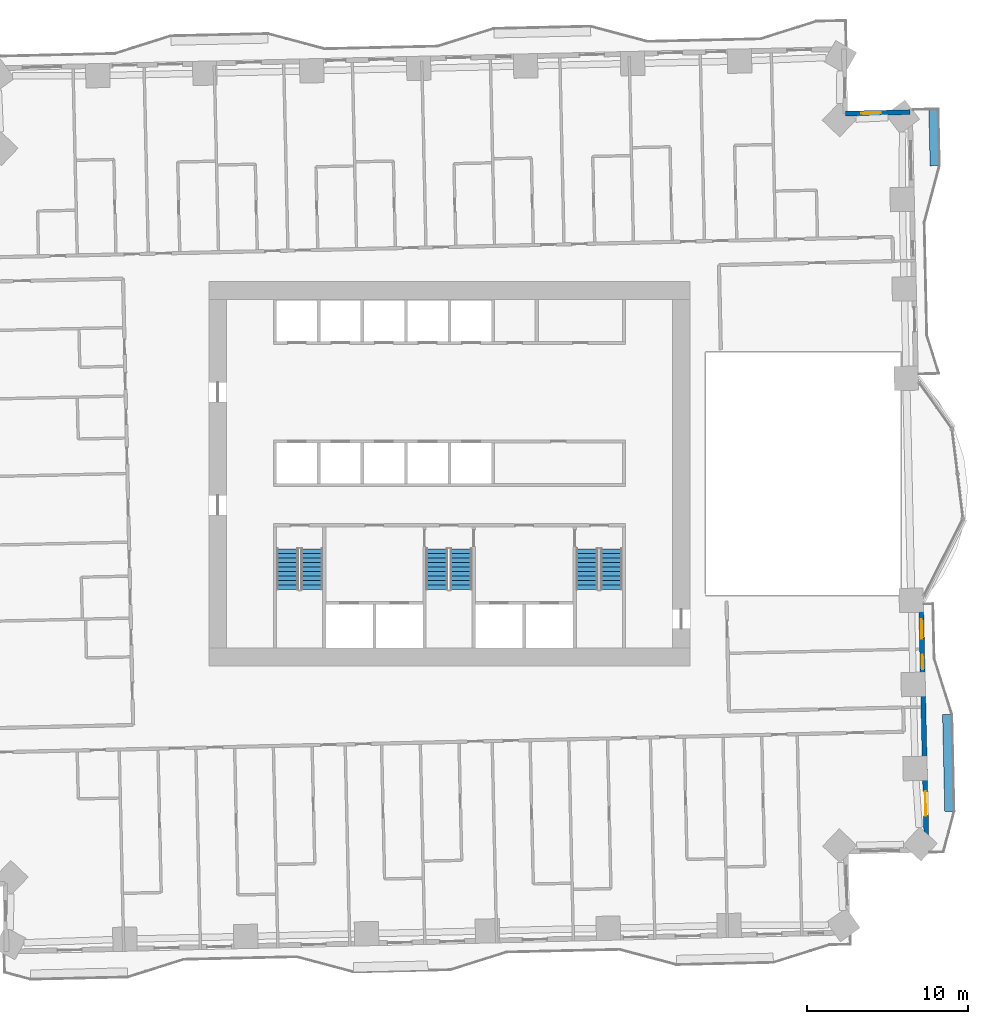
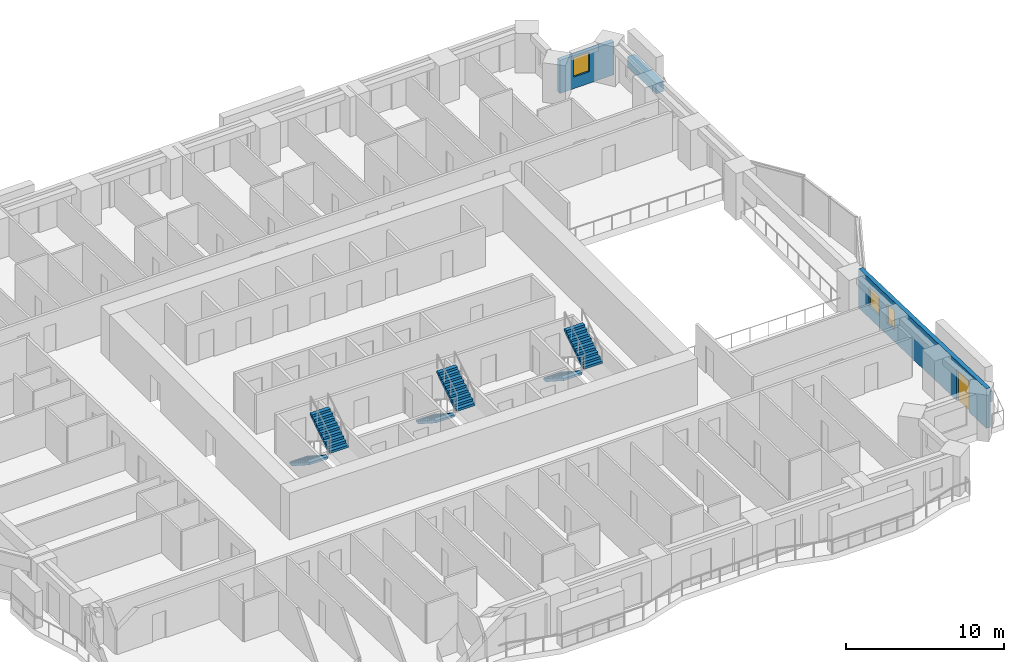
# One storey, part 12 of 16: 6 stair flights, 4 walls, 3 windows, 1 door, 4 openings, 3 elements without a shape of their own.
"""IFC4 building model written with IfcOpenShell, lengths in metres."""

from ifc_helpers import new_model, si_unit, direction, frame, frame_2d, origin, place, context, subcontext, project, spatial, polyline, rectangle, outline, extrude, material, layer, layer_set, type_object, element, fill, aggregate, save


model = new_model("IFC4")

# Units and contexts
model_context = context("Model", 3, precision=1e-05, world=origin(), true_north=direction((0.0, 1.0)))
body_context = subcontext(model_context, "Body", "Model", "MODEL_VIEW")
ifc_project = project(units=[si_unit("LENGTHUNIT", "METRE"), si_unit("AREAUNIT", "SQUARE_METRE"), si_unit("VOLUMEUNIT", "CUBIC_METRE"), si_unit("PLANEANGLEUNIT", "RADIAN"), si_unit("MASSUNIT", "GRAM", prefix="KILO")], contexts=[model_context])

# Site, building, storey
site_placement = place(None, origin())
site = spatial("IfcSite", under=ifc_project, at=site_placement, CompositionType="ELEMENT")
building_placement = place(site_placement, origin())
building = spatial("IfcBuilding", under=site, at=building_placement, Name="Mangrove Gate Tower", CompositionType="ELEMENT")
storey_placement = place(building_placement, frame((0.0, 0.0, 44.89990234375)))
storey = spatial("IfcBuildingStorey", under=building, at=storey_placement, Name="L10", CompositionType="ELEMENT", Elevation=44.89990234375)

# Wall, openings, door, windows
ifc_material_1 = material(Name="Limestone", Category="masonry")
ifc_layer_1 = layer(ifc_material_1, 0.0400390625, Name="Limestone cladding")
ifc_material_2 = material(Name="Ventilated air gap")
ifc_layer_2 = layer(ifc_material_2, 0.0400390625, Name="Ventilated cavity")
ifc_material_3 = material(Name="Mineral wool insulation")
ifc_layer_3 = layer(ifc_material_3, 0.06005859375, Name="Insulation")
ifc_material_4 = material(Name="Breather membrane")
ifc_layer_4 = layer(ifc_material_4, 0.001953125, Name="Breather membrane")
ifc_material_5 = material(Name="Concrete C20/25 blockwork", Category="masonry")
ifc_layer_5 = layer(ifc_material_5, 0.14990234375, Name="Blockwork backing wall")
ifc_material_6 = material(Name="Gypsum plaster")
ifc_layer_6 = layer(ifc_material_6, 0.008056640625, Name="Internal plaster")
ifc_layer_set_1 = layer_set([ifc_layer_1, ifc_layer_2, ifc_layer_3, ifc_layer_4, ifc_layer_5, ifc_layer_6], Name="External wall 300 limestone cladding")
wall_type_1 = type_object("IfcWallType", Name="External wall 300 limestone cladding", PredefinedType="SOLIDWALL", material=ifc_layer_set_1)
wall_1_placement = place(storey_placement, frame((29.549072265625, -23.299072265625, 0.0), z_axis=(0.0, 0.0, 1.0), x_axis=(-0.022670336976, 0.999742994885, 0.0)))
wall_1 = element("IfcWall", 1, at=wall_1_placement, inside=storey, type_object=wall_type_1, Name="WALL-L10-E0", PredefinedType="SOLIDWALL", context=body_context, shape_type="SweptSolid", body=[
    extrude(rectangle(XDim=15.529052734375, YDim=0.300048828125, at=frame_2d((7.7646484375, 0.0))), origin(), (0.0, 0.0, 1.0), 3.050048828125),
])
opening_1_placement = place(wall_1_placement, frame((2.118896484375, 0.0, 0.0)))
opening_1 = element("IfcOpeningElement", 2, at=opening_1_placement, cuts=wall_1, Name="Opening BD1", PredefinedType="OPENING", context=body_context, shape_type="SweptSolid", body=[
    extrude(rectangle(XDim=1.5, YDim=2.39990234375, at=frame_2d((0.75, 1.199951171875))), frame((0.0, 0.159912109375, 0.0), z_axis=(0.0, -1.0, 0.0), x_axis=(1.0, 0.0, 0.0)), (0.0, 0.0, 1.0), 0.320068359375),
])
opening_2_placement = place(wall_1_placement, frame((11.18310546875, 0.0, 0.89990234375)))
opening_2 = element("IfcOpeningElement", 3, at=opening_2_placement, cuts=wall_1, Name="Opening W5", PredefinedType="OPENING", context=body_context, shape_type="SweptSolid", body=[
    extrude(rectangle(XDim=0.89990234375, YDim=1.5, at=frame_2d((0.449951171875, 0.75))), frame((0.0, 0.159912109375, 0.0), z_axis=(0.0, -1.0, 0.0), x_axis=(1.0, 0.0, 0.0)), (0.0, 0.0, 1.0), 0.320068359375),
])
opening_3_placement = place(wall_1_placement, frame((13.0869140625, 0.0, 0.89990234375)))
opening_3 = element("IfcOpeningElement", 4, at=opening_3_placement, cuts=wall_1, Name="Opening W1", PredefinedType="OPENING", context=body_context, shape_type="SweptSolid", body=[
    extrude(rectangle(XDim=1.199951171875, YDim=1.5, at=frame_2d((0.60009765625, 0.75))), frame((0.0, 0.159912109375, 0.0), z_axis=(0.0, -1.0, 0.0), x_axis=(1.0, 0.0, 0.0)), (0.0, 0.0, 1.0), 0.320068359375),
])
ifc_material_7 = material(Name="Aluminium frame with laminated clear glass", Category="aluminium")
door_type = type_object("IfcDoorType", Name="Balcony sliding door 1500x2400", OperationType="SLIDING_TO_LEFT", PredefinedType="DOOR", material=ifc_material_7)
door_placement = place(opening_1_placement, origin())
door = element("IfcDoor", 5, at=door_placement, inside=storey, type_object=door_type, Name="DOOR-L10-E0-1", OperationType="SLIDING_TO_LEFT", OverallHeight=2.39990234375, OverallWidth=1.5, PredefinedType="DOOR", context=body_context, shape_type="SweptSolid", body=[
    extrude(rectangle(XDim=1.5, YDim=2.39990234375, at=frame_2d((0.75, 1.199951171875))), frame((0.0, 0.02490234375, 0.0), z_axis=(0.0, -1.0, 0.0), x_axis=(1.0, 0.0, 0.0)), (0.0, 0.0, 1.0), 0.050048828125),
])
fill(opening_1, door)
ifc_material_8 = material(Name="Aluminium frame with double-glazed low-e glass", Category="aluminium")
window_type_1 = type_object("IfcWindowType", Name="Narrow window 900x1500", PartitioningType="SINGLE_PANEL", PredefinedType="WINDOW", material=ifc_material_8)
window_1_placement = place(opening_2_placement, origin())
window_1 = element("IfcWindow", 6, at=window_1_placement, inside=storey, type_object=window_type_1, Name="WIN-L10-E0-2", OverallHeight=1.5, OverallWidth=0.89990234375, PartitioningType="SINGLE_PANEL", PredefinedType="WINDOW", context=body_context, shape_type="SweptSolid", body=[
    extrude(rectangle(XDim=0.89990234375, YDim=1.5, at=frame_2d((0.449951171875, 0.75))), frame((0.0, 0.030029296875, 0.0), z_axis=(0.0, -1.0, 0.0), x_axis=(1.0, 0.0, 0.0)), (0.0, 0.0, 1.0), 0.06005859375),
])
fill(opening_2, window_1)
ifc_material_9 = material(Name="Aluminium frame with double-glazed low-e glass", Category="aluminium")
window_type_2 = type_object("IfcWindowType", Name="Side lite 1200x1500", PartitioningType="SINGLE_PANEL", PredefinedType="WINDOW", material=ifc_material_9)
window_2_placement = place(opening_3_placement, origin())
window_2 = element("IfcWindow", 7, at=window_2_placement, inside=storey, type_object=window_type_2, Name="WIN-L10-E0-3", OverallHeight=1.5, OverallWidth=1.199951171875, PartitioningType="SINGLE_PANEL", PredefinedType="WINDOW", context=body_context, shape_type="SweptSolid", body=[
    extrude(rectangle(XDim=1.199951171875, YDim=1.5, at=frame_2d((0.60009765625, 0.75))), frame((0.0, 0.030029296875, 0.0), z_axis=(0.0, -1.0, 0.0), x_axis=(1.0, 0.0, 0.0)), (0.0, 0.0, 1.0), 0.06005859375),
])
fill(opening_3, window_2)

# Wall, opening, window
wall_2_placement = place(storey_placement, frame((28.511962890625, 22.388916015625, 0.0), z_axis=(0.0, 0.0, 1.0), x_axis=(-0.999747725427, -0.022460754759, 0.0)))
wall_2 = element("IfcWall", 8, at=wall_2_placement, inside=storey, type_object=wall_type_1, Name="WALL-L10-N3", PredefinedType="SOLIDWALL", context=body_context, shape_type="SweptSolid", body=[
    extrude(rectangle(XDim=4.0, YDim=0.300048828125, at=frame_2d((2.0, 0.0))), origin(), (0.0, 0.0, 1.0), 2.550048828125),
])
opening_4_placement = place(wall_2_placement, frame((1.81201171875, 0.0, 0.89990234375)))
opening_4 = element("IfcOpeningElement", 9, at=opening_4_placement, cuts=wall_2, Name="Opening W1", PredefinedType="OPENING", context=body_context, shape_type="SweptSolid", body=[
    extrude(rectangle(XDim=1.199951171875, YDim=1.5, at=frame_2d((0.60009765625, 0.75))), frame((0.0, 0.159912109375, 0.0), z_axis=(0.0, -1.0, 0.0), x_axis=(1.0, 0.0, 0.0)), (0.0, 0.0, 1.0), 0.320068359375),
])
window_3_placement = place(opening_4_placement, origin())
window_3 = element("IfcWindow", 10, at=window_3_placement, inside=storey, type_object=window_type_2, Name="WIN-L10-N3-1", OverallHeight=1.5, OverallWidth=1.199951171875, PartitioningType="SINGLE_PANEL", PredefinedType="WINDOW", context=body_context, shape_type="SweptSolid", body=[
    extrude(rectangle(XDim=1.199951171875, YDim=1.5, at=frame_2d((0.60009765625, 0.75))), frame((0.0, 0.030029296875, 0.0), z_axis=(0.0, -1.0, 0.0), x_axis=(1.0, 0.0, 0.0)), (0.0, 0.0, 1.0), 0.06005859375),
])
fill(opening_4, window_3)

# Walls
ifc_material_10 = material(Name="Concrete C32/40", Category="concrete")
ifc_layer_7 = layer(ifc_material_10, 0.199951171875, Name="Planter trough wall")
ifc_material_11 = material(Name="Bituminous waterproofing membrane")
ifc_layer_8 = layer(ifc_material_11, 0.0048828125, Name="Waterproofing")
ifc_material_12 = material(Name="Drainage board and gravel")
ifc_layer_9 = layer(ifc_material_12, 0.044921875, Name="Drainage layer")
ifc_material_13 = material(Name="Planting soil")
ifc_layer_10 = layer(ifc_material_13, 0.300048828125, Name="Growing medium")
ifc_layer_set_2 = layer_set([ifc_layer_7, ifc_layer_8, ifc_layer_9, ifc_layer_10], Name="Planter wall 550 C32/40")
wall_type_2 = type_object("IfcWallType", Name="Planter wall 550 C32/40", PredefinedType="USERDEFINED", material=ifc_layer_set_2)
wall_3_placement = place(storey_placement, frame((30.945068359375, -20.9169921875, 0.0), z_axis=(0.0, 0.0, 1.0), x_axis=(-0.022665943652, 0.999743094499, 0.0)))
element("IfcWall", 11, at=wall_3_placement, inside=storey, type_object=wall_type_2, Name="PLANTER L10 E0.1", ObjectType="PLANTER", PredefinedType="USERDEFINED", context=body_context, shape_type="SweptSolid", body=[
    extrude(rectangle(XDim=5.99951171875, YDim=0.550048828125, at=frame_2d((2.999755859375, 0.0))), origin(), (0.0, 0.0, 1.0), 0.800048828125),
])
wall_4_placement = place(storey_placement, frame((30.037109375, 19.072998046875, 0.0), z_axis=(0.0, 0.0, 1.0), x_axis=(-0.022600979566, 0.999744565238, 0.0)))
element("IfcWall", 12, at=wall_4_placement, inside=storey, type_object=wall_type_2, Name="PLANTER L10 E1.1", ObjectType="PLANTER", PredefinedType="USERDEFINED", context=body_context, shape_type="SweptSolid", body=[
    extrude(rectangle(XDim=3.5, YDim=0.550048828125, at=frame_2d((1.75, 0.0))), origin(), (0.0, 0.0, 1.0), 0.800048828125),
])

# Stair, stair flights
ifc_material_14 = material(Name="Concrete C40/50", Category="concrete")
stair_type = type_object("IfcStairType", Name="Core stair 1350", PredefinedType="HALF_TURN_STAIR", material=ifc_material_14)
stair_1_placement = place(storey_placement, origin())
stair_1 = element("IfcStair", 13, at=stair_1_placement, inside=storey, type_object=stair_type, Name="L10 Stair 1", PredefinedType="HALF_TURN_STAIR")
ifc_material_15 = material(Name="Concrete C40/50", Category="concrete")
stair_flight_type = type_object("IfcStairFlightType", Name="Core stair flight 1350", PredefinedType="STRAIGHT", material=ifc_material_15)
stair_flight_1_placement = place(storey_placement, frame((-10.02490234375, -4.64990234375, 0.0), z_axis=(0.0, 0.0, 1.0), x_axis=(0.0, -1.0, 0.0)))
stair_flight_1 = element("IfcStairFlight", 14, at=stair_flight_1_placement, type_object=stair_flight_type, Name="ST1 flight 1", NumberOfRisers=10, NumberOfTreads=9, PredefinedType="STRAIGHT", RiserHeight=0.18, TreadLength=0.28, context=body_context, shape_type="SweptSolid", body=[
    extrude(outline(polyline([(0.0, 0.0), (0.0, 0.179931640625), (0.280029296875, 0.179931640625), (0.280029296875, 0.360107421875), (0.56005859375, 0.360107421875), (0.56005859375, 0.5400390625), (0.840087890625, 0.5400390625), (0.840087890625, 0.719970703125), (1.1201171875, 0.719970703125), (1.1201171875, 0.89990234375), (1.39990234375, 0.89990234375), (1.39990234375, 1.080078125), (1.679931640625, 1.080078125), (1.679931640625, 1.260009765625), (1.9599609375, 1.260009765625), (1.9599609375, 1.43994140625), (2.239990234375, 1.43994140625), (2.239990234375, 1.6201171875), (2.52001953125, 1.6201171875), (2.52001953125, 1.800048828125), (2.52001953125, 1.44189453125), (0.277099609375, 0.0), (0.0, 0.0)])), frame((0.0, 0.675048828125, 0.0), z_axis=(0.0, -1.0, 0.0), x_axis=(1.0, 0.0, 0.0)), (0.0, 0.0, 1.0), 1.35009765625),
])
stair_flight_2_placement = place(storey_placement, frame((-8.52490234375, -7.169921875, 1.800048828125), z_axis=(0.0, 0.0, 1.0), x_axis=(0.0, 1.0, 0.0)))
stair_flight_2 = element("IfcStairFlight", 15, at=stair_flight_2_placement, type_object=stair_flight_type, Name="ST1 flight 2", NumberOfRisers=10, NumberOfTreads=9, PredefinedType="STRAIGHT", RiserHeight=0.18, TreadLength=0.28, context=body_context, shape_type="SweptSolid", body=[
    extrude(outline(polyline([(0.0, 0.0), (0.0, 0.179931640625), (0.280029296875, 0.179931640625), (0.280029296875, 0.360107421875), (0.56005859375, 0.360107421875), (0.56005859375, 0.5400390625), (0.840087890625, 0.5400390625), (0.840087890625, 0.719970703125), (1.1201171875, 0.719970703125), (1.1201171875, 0.89990234375), (1.39990234375, 0.89990234375), (1.39990234375, 1.080078125), (1.679931640625, 1.080078125), (1.679931640625, 1.260009765625), (1.9599609375, 1.260009765625), (1.9599609375, 1.43994140625), (2.239990234375, 1.43994140625), (2.239990234375, 1.6201171875), (2.52001953125, 1.6201171875), (2.52001953125, 1.800048828125), (2.52001953125, 1.44189453125), (0.277099609375, 0.0), (0.0, 0.0)])), frame((0.0, 0.675048828125, 0.0), z_axis=(0.0, -1.0, 0.0), x_axis=(1.0, 0.0, 0.0)), (0.0, 0.0, 1.0), 1.35009765625),
])
aggregate(stair_1, [stair_flight_1, stair_flight_2])

stair_2_placement = place(storey_placement, origin())
stair_2 = element("IfcStair", 16, at=stair_2_placement, inside=storey, type_object=stair_type, Name="L10 Stair 2", PredefinedType="HALF_TURN_STAIR")
stair_flight_3_placement = place(storey_placement, frame((-0.77490234375, -4.64990234375, 0.0), z_axis=(0.0, 0.0, 1.0), x_axis=(0.0, -1.0, 0.0)))
stair_flight_3 = element("IfcStairFlight", 17, at=stair_flight_3_placement, type_object=stair_flight_type, Name="ST2 flight 1", NumberOfRisers=10, NumberOfTreads=9, PredefinedType="STRAIGHT", RiserHeight=0.18, TreadLength=0.28, context=body_context, shape_type="SweptSolid", body=[
    extrude(outline(polyline([(0.0, 0.0), (0.0, 0.179931640625), (0.280029296875, 0.179931640625), (0.280029296875, 0.360107421875), (0.56005859375, 0.360107421875), (0.56005859375, 0.5400390625), (0.840087890625, 0.5400390625), (0.840087890625, 0.719970703125), (1.1201171875, 0.719970703125), (1.1201171875, 0.89990234375), (1.39990234375, 0.89990234375), (1.39990234375, 1.080078125), (1.679931640625, 1.080078125), (1.679931640625, 1.260009765625), (1.9599609375, 1.260009765625), (1.9599609375, 1.43994140625), (2.239990234375, 1.43994140625), (2.239990234375, 1.6201171875), (2.52001953125, 1.6201171875), (2.52001953125, 1.800048828125), (2.52001953125, 1.44189453125), (0.277099609375, 0.0), (0.0, 0.0)])), frame((0.0, 0.675048828125, 0.0), z_axis=(0.0, -1.0, 0.0), x_axis=(1.0, 0.0, 0.0)), (0.0, 0.0, 1.0), 1.35009765625),
])
stair_flight_4_placement = place(storey_placement, frame((0.72509765625, -7.169921875, 1.800048828125), z_axis=(0.0, 0.0, 1.0), x_axis=(0.0, 1.0, 0.0)))
stair_flight_4 = element("IfcStairFlight", 18, at=stair_flight_4_placement, type_object=stair_flight_type, Name="ST2 flight 2", NumberOfRisers=10, NumberOfTreads=9, PredefinedType="STRAIGHT", RiserHeight=0.18, TreadLength=0.28, context=body_context, shape_type="SweptSolid", body=[
    extrude(outline(polyline([(0.0, 0.0), (0.0, 0.179931640625), (0.280029296875, 0.179931640625), (0.280029296875, 0.360107421875), (0.56005859375, 0.360107421875), (0.56005859375, 0.5400390625), (0.840087890625, 0.5400390625), (0.840087890625, 0.719970703125), (1.1201171875, 0.719970703125), (1.1201171875, 0.89990234375), (1.39990234375, 0.89990234375), (1.39990234375, 1.080078125), (1.679931640625, 1.080078125), (1.679931640625, 1.260009765625), (1.9599609375, 1.260009765625), (1.9599609375, 1.43994140625), (2.239990234375, 1.43994140625), (2.239990234375, 1.6201171875), (2.52001953125, 1.6201171875), (2.52001953125, 1.800048828125), (2.52001953125, 1.44189453125), (0.277099609375, 0.0), (0.0, 0.0)])), frame((0.0, 0.675048828125, 0.0), z_axis=(0.0, -1.0, 0.0), x_axis=(1.0, 0.0, 0.0)), (0.0, 0.0, 1.0), 1.35009765625),
])
aggregate(stair_2, [stair_flight_3, stair_flight_4])

stair_3_placement = place(storey_placement, origin())
stair_3 = element("IfcStair", 19, at=stair_3_placement, inside=storey, type_object=stair_type, Name="L10 Stair 3", PredefinedType="HALF_TURN_STAIR")
stair_flight_5_placement = place(storey_placement, frame((8.52490234375, -4.64990234375, 0.0), z_axis=(0.0, 0.0, 1.0), x_axis=(0.0, -1.0, 0.0)))
stair_flight_5 = element("IfcStairFlight", 20, at=stair_flight_5_placement, type_object=stair_flight_type, Name="ST3 flight 1", NumberOfRisers=10, NumberOfTreads=9, PredefinedType="STRAIGHT", RiserHeight=0.18, TreadLength=0.28, context=body_context, shape_type="SweptSolid", body=[
    extrude(outline(polyline([(0.0, 0.0), (0.0, 0.179931640625), (0.280029296875, 0.179931640625), (0.280029296875, 0.360107421875), (0.56005859375, 0.360107421875), (0.56005859375, 0.5400390625), (0.840087890625, 0.5400390625), (0.840087890625, 0.719970703125), (1.1201171875, 0.719970703125), (1.1201171875, 0.89990234375), (1.39990234375, 0.89990234375), (1.39990234375, 1.080078125), (1.679931640625, 1.080078125), (1.679931640625, 1.260009765625), (1.9599609375, 1.260009765625), (1.9599609375, 1.43994140625), (2.239990234375, 1.43994140625), (2.239990234375, 1.6201171875), (2.52001953125, 1.6201171875), (2.52001953125, 1.800048828125), (2.52001953125, 1.44189453125), (0.277099609375, 0.0), (0.0, 0.0)])), frame((0.0, 0.675048828125, 0.0), z_axis=(0.0, -1.0, 0.0), x_axis=(1.0, 0.0, 0.0)), (0.0, 0.0, 1.0), 1.35009765625),
])
stair_flight_6_placement = place(storey_placement, frame((10.02490234375, -7.169921875, 1.800048828125), z_axis=(0.0, 0.0, 1.0), x_axis=(0.0, 1.0, 0.0)))
stair_flight_6 = element("IfcStairFlight", 21, at=stair_flight_6_placement, type_object=stair_flight_type, Name="ST3 flight 2", NumberOfRisers=10, NumberOfTreads=9, PredefinedType="STRAIGHT", RiserHeight=0.18, TreadLength=0.28, context=body_context, shape_type="SweptSolid", body=[
    extrude(outline(polyline([(0.0, 0.0), (0.0, 0.179931640625), (0.280029296875, 0.179931640625), (0.280029296875, 0.360107421875), (0.56005859375, 0.360107421875), (0.56005859375, 0.5400390625), (0.840087890625, 0.5400390625), (0.840087890625, 0.719970703125), (1.1201171875, 0.719970703125), (1.1201171875, 0.89990234375), (1.39990234375, 0.89990234375), (1.39990234375, 1.080078125), (1.679931640625, 1.080078125), (1.679931640625, 1.260009765625), (1.9599609375, 1.260009765625), (1.9599609375, 1.43994140625), (2.239990234375, 1.43994140625), (2.239990234375, 1.6201171875), (2.52001953125, 1.6201171875), (2.52001953125, 1.800048828125), (2.52001953125, 1.44189453125), (0.277099609375, 0.0), (0.0, 0.0)])), frame((0.0, 0.675048828125, 0.0), z_axis=(0.0, -1.0, 0.0), x_axis=(1.0, 0.0, 0.0)), (0.0, 0.0, 1.0), 1.35009765625),
])
aggregate(stair_3, [stair_flight_5, stair_flight_6])

save(model, "model.ifc")
